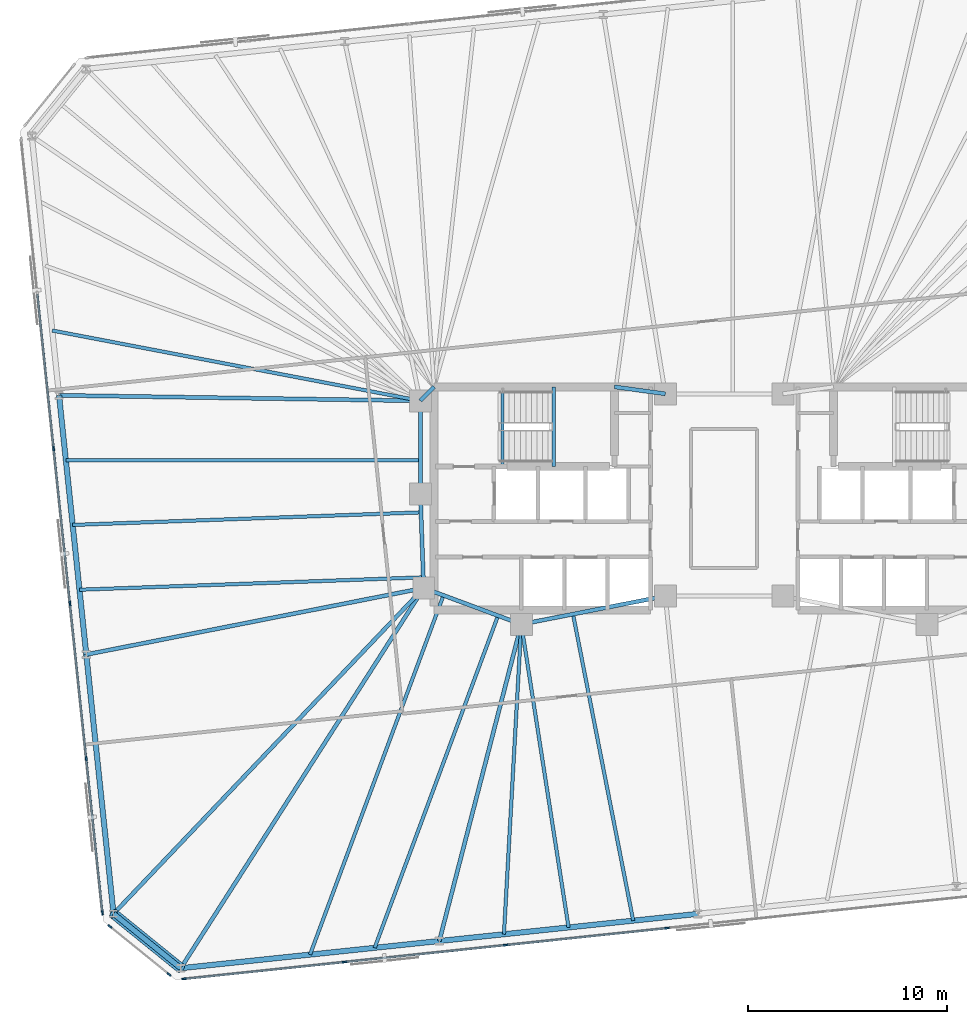
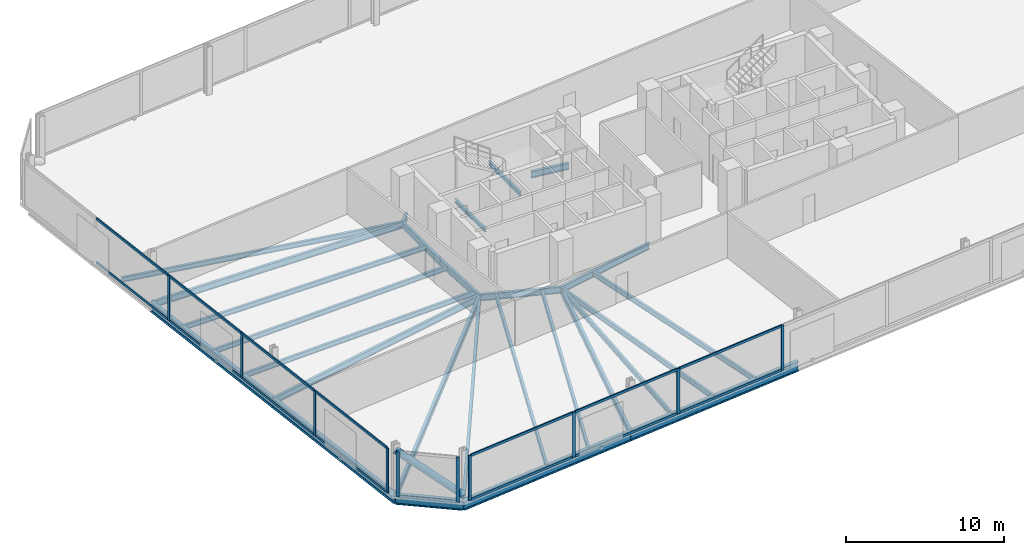
# One storey, part 6 of 17: 27 beams, 25 members, 3 elements without a shape of their own.
"""IFC4 building model written with IfcOpenShell, lengths in metres."""

from ifc_helpers import new_model, si_unit, direction, frame, origin, origin_2d, place, context, subcontext, project, spatial, rectangle, hollow_circle, i_section, extrude, material, material_profile, profile_set, type_object, element, aggregate, save


model = new_model("IFC4")

# Units and contexts
model_context = context("Model", 3, precision=1e-05, world=origin(), true_north=direction((0.0, 1.0)))
body_context = subcontext(model_context, "Body", "Model", "MODEL_VIEW")
ifc_project = project(units=[si_unit("LENGTHUNIT", "METRE"), si_unit("AREAUNIT", "SQUARE_METRE"), si_unit("VOLUMEUNIT", "CUBIC_METRE"), si_unit("PLANEANGLEUNIT", "RADIAN"), si_unit("MASSUNIT", "GRAM", prefix="KILO")], contexts=[model_context])

# Site, building, storey
site_placement = place(None, origin())
site = spatial("IfcSite", under=ifc_project, at=site_placement, CompositionType="ELEMENT")
building_placement = place(site_placement, origin())
building = spatial("IfcBuilding", under=site, at=building_placement, Name="Menara Jurai Vektor", CompositionType="ELEMENT")
storey_placement = place(building_placement, frame((0.0, 0.0, 109.60009765625)))
storey = spatial("IfcBuildingStorey", under=building, at=storey_placement, Name="L27", CompositionType="ELEMENT", Elevation=109.60009765625)

# Curtain wall, members
ifc_material_1 = material(Name="Anodised Pale Aluminium & Low-E Double Glazing", Category="aluminium")
curtain_wall_type = type_object("IfcCurtainWallType", Name="CW-BLK2", PredefinedType="NOTDEFINED", material=ifc_material_1)
curtain_wall_1_placement = place(storey_placement, origin())
curtain_wall_1 = element("IfcCurtainWall", 1, at=curtain_wall_1_placement, inside=storey, type_object=curtain_wall_type, Name="Unitised Curtain Wall L27 F01", PredefinedType="NOTDEFINED")
ifc_material_2 = material(Name="Anodised Pale Aluminium Mullion", Category="aluminium")
ifc_material_profile_1 = material_profile(ifc_material_2, rectangle(XDim=0.090087890625, YDim=0.219970703125, at=origin_2d()), Name="ALU MUL 90x220")
ifc_profile_set_1 = profile_set([ifc_material_profile_1], Name="Anodised Pale Aluminium Mullion")
member_type_1 = type_object("IfcMemberType", Name="CW-BLK2-MUL", PredefinedType="MULLION", material=ifc_profile_set_1)
member_1_placement = place(storey_placement, frame((-27.116455078125, -24.122314453125, 0.0), z_axis=(0.0, 0.0, 1.0), x_axis=(-0.104528634935, 0.994521877325, 0.0)))
member_1 = element("IfcMember", 2, at=member_1_placement, type_object=member_type_1, Name="CW-02 mullion 1", PredefinedType="MULLION", context=body_context, shape_type="SweptSolid", body=[
    extrude(rectangle(XDim=0.090087890625, YDim=0.219970703125, at=origin_2d()), origin(), (0.0, 0.0, 1.0), 3.474853515625),
])
member_2_placement = place(storey_placement, frame((-19.0634765625, -23.27587890625, 0.0), z_axis=(0.0, 0.0, 1.0), x_axis=(-0.104528634935, 0.994521877325, 0.0)))
member_2 = element("IfcMember", 3, at=member_2_placement, type_object=member_type_1, Name="CW-02 mullion 2", PredefinedType="MULLION", context=body_context, shape_type="SweptSolid", body=[
    extrude(rectangle(XDim=0.090087890625, YDim=0.219970703125, at=origin_2d()), origin(), (0.0, 0.0, 1.0), 3.474853515625),
])
member_3_placement = place(storey_placement, frame((-10.965576171875, -22.4248046875, 0.0), z_axis=(0.0, 0.0, 1.0), x_axis=(-0.104528634935, 0.994521877325, 0.0)))
member_3 = element("IfcMember", 4, at=member_3_placement, type_object=member_type_1, Name="CW-02 mullion 3", PredefinedType="MULLION", context=body_context, shape_type="SweptSolid", body=[
    extrude(rectangle(XDim=0.090087890625, YDim=0.219970703125, at=origin_2d()), origin(), (0.0, 0.0, 1.0), 3.474853515625),
])
member_4_placement = place(storey_placement, frame((-2.86767578125, -21.57373046875, 0.0), z_axis=(0.0, 0.0, 1.0), x_axis=(-0.104528634935, 0.994521877325, 0.0)))
member_4 = element("IfcMember", 5, at=member_4_placement, type_object=member_type_1, Name="CW-02 mullion 4", PredefinedType="MULLION", context=body_context, shape_type="SweptSolid", body=[
    extrude(rectangle(XDim=0.090087890625, YDim=0.219970703125, at=origin_2d()), origin(), (0.0, 0.0, 1.0), 3.474853515625),
])

curtain_wall_2_placement = place(storey_placement, origin())
curtain_wall_2 = element("IfcCurtainWall", 6, at=curtain_wall_2_placement, inside=storey, type_object=curtain_wall_type, Name="Unitised Curtain Wall L27 F07", PredefinedType="NOTDEFINED")
member_5_placement = place(storey_placement, frame((-33.66064453125, 2.50341796875, 0.0), z_axis=(0.0, 0.0, 1.0), x_axis=(0.99452177832, 0.104529576902, 0.0)))
member_5 = element("IfcMember", 7, at=member_5_placement, type_object=member_type_1, Name="CW-02 mullion 3", PredefinedType="MULLION", context=body_context, shape_type="SweptSolid", body=[
    extrude(rectangle(XDim=0.090087890625, YDim=0.219970703125, at=origin_2d()), origin(), (0.0, 0.0, 1.0), 3.474853515625),
])
member_6_placement = place(storey_placement, frame((-32.84228515625, -5.28173828125, 0.0), z_axis=(0.0, 0.0, 1.0), x_axis=(0.99452177832, 0.104529576902, 0.0)))
member_6 = element("IfcMember", 8, at=member_6_placement, type_object=member_type_1, Name="CW-02 mullion 4", PredefinedType="MULLION", context=body_context, shape_type="SweptSolid", body=[
    extrude(rectangle(XDim=0.090087890625, YDim=0.219970703125, at=origin_2d()), origin(), (0.0, 0.0, 1.0), 3.474853515625),
])
member_7_placement = place(storey_placement, frame((-32.024169921875, -13.06689453125, 0.0), z_axis=(0.0, 0.0, 1.0), x_axis=(0.99452177832, 0.104529576902, 0.0)))
member_7 = element("IfcMember", 9, at=member_7_placement, type_object=member_type_1, Name="CW-02 mullion 5", PredefinedType="MULLION", context=body_context, shape_type="SweptSolid", body=[
    extrude(rectangle(XDim=0.090087890625, YDim=0.219970703125, at=origin_2d()), origin(), (0.0, 0.0, 1.0), 3.474853515625),
])
member_8_placement = place(storey_placement, frame((-31.21044921875, -20.80712890625, 0.0), z_axis=(0.0, 0.0, 1.0), x_axis=(0.99452177832, 0.104529576902, 0.0)))
member_8 = element("IfcMember", 10, at=member_8_placement, type_object=member_type_1, Name="CW-02 mullion 6", PredefinedType="MULLION", context=body_context, shape_type="SweptSolid", body=[
    extrude(rectangle(XDim=0.090087890625, YDim=0.219970703125, at=origin_2d()), origin(), (0.0, 0.0, 1.0), 3.474853515625),
])

curtain_wall_3_placement = place(storey_placement, origin())
curtain_wall_3 = element("IfcCurtainWall", 11, at=curtain_wall_3_placement, inside=storey, type_object=curtain_wall_type, Name="Unitised Curtain Wall L27 F08", PredefinedType="NOTDEFINED")
member_9_placement = place(storey_placement, frame((-30.8359375, -21.497314453125, 0.0), z_axis=(0.0, 0.0, 1.0), x_axis=(0.629313085353, 0.777151877437, 0.0)))
member_9 = element("IfcMember", 12, at=member_9_placement, type_object=member_type_1, Name="CW-02 mullion 1", PredefinedType="MULLION", context=body_context, shape_type="SweptSolid", body=[
    extrude(rectangle(XDim=0.090087890625, YDim=0.219970703125, at=origin_2d()), origin(), (0.0, 0.0, 1.0), 3.474853515625),
])
member_10_placement = place(storey_placement, frame((-27.869384765625, -23.8994140625, 0.0), z_axis=(0.0, 0.0, 1.0), x_axis=(0.629313085353, 0.777151877437, 0.0)))
member_10 = element("IfcMember", 13, at=member_10_placement, type_object=member_type_1, Name="CW-02 mullion 2", PredefinedType="MULLION", context=body_context, shape_type="SweptSolid", body=[
    extrude(rectangle(XDim=0.090087890625, YDim=0.219970703125, at=origin_2d()), origin(), (0.0, 0.0, 1.0), 3.474853515625),
])
aggregate(curtain_wall_3, [member_9, member_10])

# Member
ifc_material_3 = material(Name="Anodised Pale Aluminium Transom", Category="aluminium")
ifc_material_profile_2 = material_profile(ifc_material_3, rectangle(XDim=0.090087890625, YDim=0.18505859375, at=origin_2d()), Name="ALU TRN 90x185")
ifc_profile_set_2 = profile_set([ifc_material_profile_2], Name="Anodised Pale Aluminium Transom")
member_type_2 = type_object("IfcMemberType", Name="CW-BLK2-TRN", PredefinedType="USERDEFINED", material=ifc_profile_set_2)
member_11_placement = place(storey_placement, frame((-27.07177734375, -24.11767578125, 0.044921875), z_axis=(0.994523147415, 0.10451655015, 0.0), x_axis=(-0.10451655015, 0.994523147415, 0.0)))
member_11 = element("IfcMember", 14, at=member_11_placement, type_object=member_type_2, Name="CW-02 transom 1.1", ObjectType="TRANSOM", PredefinedType="USERDEFINED", context=body_context, shape_type="SweptSolid", body=[
    extrude(rectangle(XDim=0.090087890625, YDim=0.18505859375, at=origin_2d()), origin(), (0.0, 0.0, 1.0), 8.007568359375),
])

member_12_placement = place(storey_placement, frame((-27.07177734375, -24.11767578125, 3.429931640625), z_axis=(0.994523147415, 0.10451655015, 0.0), x_axis=(-0.10451655015, 0.994523147415, 0.0)))
member_12 = element("IfcMember", 15, at=member_12_placement, type_object=member_type_2, Name="CW-02 transom 1.2", ObjectType="TRANSOM", PredefinedType="USERDEFINED", context=body_context, shape_type="SweptSolid", body=[
    extrude(rectangle(XDim=0.090087890625, YDim=0.18505859375, at=origin_2d()), origin(), (0.0, 0.0, 1.0), 8.007568359375),
])

member_13_placement = place(storey_placement, frame((-19.0185546875, -23.271240234375, 0.044921875), z_axis=(0.994520726373, 0.10453958492, 0.0), x_axis=(-0.10453958492, 0.994520726373, 0.0)))
member_13 = element("IfcMember", 16, at=member_13_placement, type_object=member_type_2, Name="CW-02 transom 2.1", ObjectType="TRANSOM", PredefinedType="USERDEFINED", context=body_context, shape_type="SweptSolid", body=[
    extrude(rectangle(XDim=0.090087890625, YDim=0.18505859375, at=origin_2d()), origin(), (0.0, 0.0, 1.0), 8.052490234375),
])

member_14_placement = place(storey_placement, frame((-19.0185546875, -23.271240234375, 3.429931640625), z_axis=(0.994520726373, 0.10453958492, 0.0), x_axis=(-0.10453958492, 0.994520726373, 0.0)))
member_14 = element("IfcMember", 17, at=member_14_placement, type_object=member_type_2, Name="CW-02 transom 2.2", ObjectType="TRANSOM", PredefinedType="USERDEFINED", context=body_context, shape_type="SweptSolid", body=[
    extrude(rectangle(XDim=0.090087890625, YDim=0.18505859375, at=origin_2d()), origin(), (0.0, 0.0, 1.0), 8.052490234375),
])

member_15_placement = place(storey_placement, frame((-10.920654296875, -22.420166015625, 0.044921875), z_axis=(0.994520726373, 0.10453958492, 0.0), x_axis=(-0.10453958492, 0.994520726373, 0.0)))
member_15 = element("IfcMember", 18, at=member_15_placement, type_object=member_type_2, Name="CW-02 transom 3.1", ObjectType="TRANSOM", PredefinedType="USERDEFINED", context=body_context, shape_type="SweptSolid", body=[
    extrude(rectangle(XDim=0.090087890625, YDim=0.18505859375, at=origin_2d()), origin(), (0.0, 0.0, 1.0), 8.052490234375),
])

member_16_placement = place(storey_placement, frame((-10.920654296875, -22.420166015625, 3.429931640625), z_axis=(0.994520726373, 0.10453958492, 0.0), x_axis=(-0.10453958492, 0.994520726373, 0.0)))
member_16 = element("IfcMember", 19, at=member_16_placement, type_object=member_type_2, Name="CW-02 transom 3.2", ObjectType="TRANSOM", PredefinedType="USERDEFINED", context=body_context, shape_type="SweptSolid", body=[
    extrude(rectangle(XDim=0.090087890625, YDim=0.18505859375, at=origin_2d()), origin(), (0.0, 0.0, 1.0), 8.052490234375),
])

aggregate(curtain_wall_1, [member_1, member_2, member_3, member_4, member_11, member_12, member_13, member_14, member_15, member_16])

member_17_placement = place(storey_placement, frame((-34.47412109375, 10.243896484375, 0.044921875), z_axis=(0.104525476786, -0.994522209256, 0.0), x_axis=(0.994522209256, 0.104525476786, 0.0)))
member_17 = element("IfcMember", 20, at=member_17_placement, type_object=member_type_2, Name="CW-02 transom 2.1", ObjectType="TRANSOM", PredefinedType="USERDEFINED", context=body_context, shape_type="SweptSolid", body=[
    extrude(rectangle(XDim=0.090087890625, YDim=0.18505859375, at=origin_2d()), origin(), (0.0, 0.0, 1.0), 7.73828125),
])

member_18_placement = place(storey_placement, frame((-34.47412109375, 10.243896484375, 3.429931640625), z_axis=(0.104525476786, -0.994522209256, 0.0), x_axis=(0.994522209256, 0.104525476786, 0.0)))
member_18 = element("IfcMember", 21, at=member_18_placement, type_object=member_type_2, Name="CW-02 transom 2.2", ObjectType="TRANSOM", PredefinedType="USERDEFINED", context=body_context, shape_type="SweptSolid", body=[
    extrude(rectangle(XDim=0.090087890625, YDim=0.18505859375, at=origin_2d()), origin(), (0.0, 0.0, 1.0), 7.73828125),
])

member_19_placement = place(storey_placement, frame((-33.65576171875, 2.458740234375, 0.044921875), z_axis=(0.104525476786, -0.994522209256, 0.0), x_axis=(0.994522209256, 0.104525476786, 0.0)))
member_19 = element("IfcMember", 22, at=member_19_placement, type_object=member_type_2, Name="CW-02 transom 3.1", ObjectType="TRANSOM", PredefinedType="USERDEFINED", context=body_context, shape_type="SweptSolid", body=[
    extrude(rectangle(XDim=0.090087890625, YDim=0.18505859375, at=origin_2d()), origin(), (0.0, 0.0, 1.0), 7.73828125),
])

member_20_placement = place(storey_placement, frame((-33.65576171875, 2.458740234375, 3.429931640625), z_axis=(0.104525476786, -0.994522209256, 0.0), x_axis=(0.994522209256, 0.104525476786, 0.0)))
member_20 = element("IfcMember", 23, at=member_20_placement, type_object=member_type_2, Name="CW-02 transom 3.2", ObjectType="TRANSOM", PredefinedType="USERDEFINED", context=body_context, shape_type="SweptSolid", body=[
    extrude(rectangle(XDim=0.090087890625, YDim=0.18505859375, at=origin_2d()), origin(), (0.0, 0.0, 1.0), 7.73828125),
])

member_21_placement = place(storey_placement, frame((-32.837646484375, -5.326416015625, 0.044921875), z_axis=(0.104525476786, -0.994522209256, 0.0), x_axis=(0.994522209256, 0.104525476786, 0.0)))
member_21 = element("IfcMember", 24, at=member_21_placement, type_object=member_type_2, Name="CW-02 transom 4.1", ObjectType="TRANSOM", PredefinedType="USERDEFINED", context=body_context, shape_type="SweptSolid", body=[
    extrude(rectangle(XDim=0.090087890625, YDim=0.18505859375, at=origin_2d()), origin(), (0.0, 0.0, 1.0), 7.73828125),
])

member_22_placement = place(storey_placement, frame((-32.837646484375, -5.326416015625, 3.429931640625), z_axis=(0.104525476786, -0.994522209256, 0.0), x_axis=(0.994522209256, 0.104525476786, 0.0)))
member_22 = element("IfcMember", 25, at=member_22_placement, type_object=member_type_2, Name="CW-02 transom 4.2", ObjectType="TRANSOM", PredefinedType="USERDEFINED", context=body_context, shape_type="SweptSolid", body=[
    extrude(rectangle(XDim=0.090087890625, YDim=0.18505859375, at=origin_2d()), origin(), (0.0, 0.0, 1.0), 7.73828125),
])

member_23_placement = place(storey_placement, frame((-32.019287109375, -13.111572265625, 0.044921875), z_axis=(0.104536105602, -0.994521092097, 0.0), x_axis=(0.994521092097, 0.104536105602, 0.0)))
member_23 = element("IfcMember", 26, at=member_23_placement, type_object=member_type_2, Name="CW-02 transom 5.1", ObjectType="TRANSOM", PredefinedType="USERDEFINED", context=body_context, shape_type="SweptSolid", body=[
    extrude(rectangle(XDim=0.090087890625, YDim=0.18505859375, at=origin_2d()), origin(), (0.0, 0.0, 1.0), 7.693115234375),
])

member_24_placement = place(storey_placement, frame((-32.019287109375, -13.111572265625, 3.429931640625), z_axis=(0.104536105602, -0.994521092097, 0.0), x_axis=(0.994521092097, 0.104536105602, 0.0)))
member_24 = element("IfcMember", 27, at=member_24_placement, type_object=member_type_2, Name="CW-02 transom 5.2", ObjectType="TRANSOM", PredefinedType="USERDEFINED", context=body_context, shape_type="SweptSolid", body=[
    extrude(rectangle(XDim=0.090087890625, YDim=0.18505859375, at=origin_2d()), origin(), (0.0, 0.0, 1.0), 7.693115234375),
])

aggregate(curtain_wall_2, [member_5, member_6, member_7, member_8, member_17, member_18, member_19, member_20, member_21, member_22, member_23, member_24])

# Beams
ifc_material_4 = material(Name="Steel S355", Category="steel")
ifc_material_profile_3 = material_profile(ifc_material_4, i_section(OverallWidth=0.199951171875, OverallDepth=0.5, WebThickness=0.011962890625, FlangeThickness=0.02001953125, at=origin_2d()), Name="PG 500x200x96")
ifc_profile_set_3 = profile_set([ifc_material_profile_3], Name="Steel S355")
beam_type_1 = type_object("IfcBeamType", Name="STR-BM-500", PredefinedType="BEAM", material=ifc_profile_set_3)
beam_1_placement = place(storey_placement, frame((-15.25, 4.89990234375, -0.47509765625), z_axis=(0.701871936926, 0.712303154672, 0.0), x_axis=(-0.712303154672, 0.701871936926, 0.0)))
element("IfcBeam", 28, at=beam_1_placement, inside=storey, type_object=beam_type_1, Name="Core Ring Header Girder L27-CHW-N1", PredefinedType="BEAM", context=body_context, shape_type="SweptSolid", body=[
    extrude(i_section(OverallWidth=0.199951171875, OverallDepth=0.5, WebThickness=0.011962890625, FlangeThickness=0.02001953125, at=origin_2d()), origin(), (0.0, 0.0, 1.0), 0.98291015625),
])
beam_2_placement = place(storey_placement, frame((-5.5, 5.60009765625, -0.47509765625), z_axis=(0.990706818608, -0.136014703483, 0.0), x_axis=(0.136014703483, 0.990706818608, 0.0)))
element("IfcBeam", 29, at=beam_2_placement, inside=storey, type_object=beam_type_1, Name="Core Ring Header Girder L27-CHW-N2", PredefinedType="BEAM", context=body_context, shape_type="SweptSolid", body=[
    extrude(i_section(OverallWidth=0.199951171875, OverallDepth=0.5, WebThickness=0.011962890625, FlangeThickness=0.02001953125, at=origin_2d()), origin(), (0.0, 0.0, 1.0), 2.573974609375),
])
beam_3_placement = place(storey_placement, frame((-15.25, 0.219970703125, -0.47509765625), z_axis=(0.0, 1.0, 0.0), x_axis=(-1.0, 0.0, 0.0)))
element("IfcBeam", 30, at=beam_3_placement, inside=storey, type_object=beam_type_1, Name="Core Ring Header Girder L27-CHW-W1", PredefinedType="BEAM", context=body_context, shape_type="SweptSolid", body=[
    extrude(i_section(OverallWidth=0.199951171875, OverallDepth=0.5, WebThickness=0.011962890625, FlangeThickness=0.02001953125, at=origin_2d()), origin(), (0.0, 0.0, 1.0), 4.679931640625),
])
beam_4_placement = place(storey_placement, frame((-15.080078125, -4.5, -0.47509765625), z_axis=(-0.035977314146, 0.999352606874, 0.0), x_axis=(-0.999352606874, -0.035977314146, 0.0)))
element("IfcBeam", 31, at=beam_4_placement, inside=storey, type_object=beam_type_1, Name="Core Ring Header Girder L27-CHW-W2", PredefinedType="BEAM", context=body_context, shape_type="SweptSolid", body=[
    extrude(i_section(OverallWidth=0.199951171875, OverallDepth=0.5, WebThickness=0.011962890625, FlangeThickness=0.02001953125, at=origin_2d()), origin(), (0.0, 0.0, 1.0), 4.72314453125),
])
beam_5_placement = place(storey_placement, frame((-15.080078125, -4.5, -0.47509765625), z_axis=(0.937424400887, -0.348188874925, 0.0), x_axis=(0.348188874925, 0.937424400887, 0.0)))
element("IfcBeam", 32, at=beam_5_placement, inside=storey, type_object=beam_type_1, Name="Core Ring Header Girder L27-CHW-S1", PredefinedType="BEAM", context=body_context, shape_type="SweptSolid", body=[
    extrude(i_section(OverallWidth=0.199951171875, OverallDepth=0.5, WebThickness=0.011962890625, FlangeThickness=0.02001953125, at=origin_2d()), origin(), (0.0, 0.0, 1.0), 5.227294921875),
])
beam_6_placement = place(storey_placement, frame((-10.179931640625, -6.320068359375, -0.47509765625), z_axis=(0.981249044334, 0.192744164614, 0.0), x_axis=(-0.192744164614, 0.981249044334, 0.0)))
element("IfcBeam", 33, at=beam_6_placement, inside=storey, type_object=beam_type_1, Name="Core Ring Header Girder L27-CHW-S2", PredefinedType="BEAM", context=body_context, shape_type="SweptSolid", body=[
    extrude(i_section(OverallWidth=0.199951171875, OverallDepth=0.5, WebThickness=0.011962890625, FlangeThickness=0.02001953125, at=origin_2d()), origin(), (0.0, 0.0, 1.0), 7.3681640625),
])
beam_7_placement = place(storey_placement, frame((-27.2763671875, -23.586181640625, -0.47509765625), z_axis=(0.538462629542, 0.842649391258, 0.0), x_axis=(-0.842649391258, 0.538462629542, 0.0)))
element("IfcBeam", 34, at=beam_7_placement, inside=storey, type_object=beam_type_1, Name="Radial Floor Girder L27-S1", PredefinedType="BEAM", context=body_context, shape_type="SweptSolid", body=[
    extrude(i_section(OverallWidth=0.199951171875, OverallDepth=0.5, WebThickness=0.011962890625, FlangeThickness=0.02001953125, at=origin_2d()), origin(), (0.0, 0.0, 1.0), 22.650146484375),
])
beam_8_placement = place(storey_placement, frame((-14.296630859375, -22.221923828125, -0.47509765625), z_axis=(0.250619644892, 0.968085633399, 0.0), x_axis=(-0.968085633399, 0.250619644892, 0.0)))
element("IfcBeam", 35, at=beam_8_placement, inside=storey, type_object=beam_type_1, Name="Radial Floor Girder L27-S2", PredefinedType="BEAM", context=body_context, shape_type="SweptSolid", body=[
    extrude(i_section(OverallWidth=0.199951171875, OverallDepth=0.5, WebThickness=0.011962890625, FlangeThickness=0.02001953125, at=origin_2d()), origin(), (0.0, 0.0, 1.0), 16.426025390625),
])
beam_9_placement = place(storey_placement, frame((-33.38818359375, 5.175048828125, -0.47509765625), z_axis=(0.999884963566, -0.015167716827, 0.0), x_axis=(0.015167716827, 0.999884963566, 0.0)))
element("IfcBeam", 36, at=beam_9_placement, inside=storey, type_object=beam_type_1, Name="Radial Floor Girder L27-W2", PredefinedType="BEAM", context=body_context, shape_type="SweptSolid", body=[
    extrude(i_section(OverallWidth=0.199951171875, OverallDepth=0.5, WebThickness=0.011962890625, FlangeThickness=0.02001953125, at=origin_2d()), origin(), (0.0, 0.0, 1.0), 18.140380859375),
])
beam_10_placement = place(storey_placement, frame((-32.0205078125, -7.83837890625, -0.47509765625), z_axis=(0.98113039493, 0.193347221714, 0.0), x_axis=(-0.193347221714, 0.98113039493, 0.0)))
element("IfcBeam", 37, at=beam_10_placement, inside=storey, type_object=beam_type_1, Name="Radial Floor Girder L27-W3", PredefinedType="BEAM", context=body_context, shape_type="SweptSolid", body=[
    extrude(i_section(OverallWidth=0.199951171875, OverallDepth=0.5, WebThickness=0.011962890625, FlangeThickness=0.02001953125, at=origin_2d()), origin(), (0.0, 0.0, 1.0), 17.266357421875),
])
beam_11_placement = place(storey_placement, frame((-30.65283203125, -20.85205078125, -0.47509765625), z_axis=(0.689640593718, 0.724151815227, 0.0), x_axis=(-0.724151815227, 0.689640593718, 0.0)))
element("IfcBeam", 38, at=beam_11_placement, inside=storey, type_object=beam_type_1, Name="Radial Floor Girder L27-W4", PredefinedType="BEAM", context=body_context, shape_type="SweptSolid", body=[
    extrude(i_section(OverallWidth=0.199951171875, OverallDepth=0.5, WebThickness=0.011962890625, FlangeThickness=0.02001953125, at=origin_2d()), origin(), (0.0, 0.0, 1.0), 22.5810546875),
])

# Member
ifc_material_5 = material(Name="Steel S460", Category="steel")
ifc_material_profile_4 = material_profile(ifc_material_5, hollow_circle(Radius=0.25390625, WallThickness=0.02001953125, at=origin_2d()), Name="CHS 508x20")
ifc_profile_set_4 = profile_set([ifc_material_profile_4], Name="Steel S460")
member_type_3 = type_object("IfcMemberType", Name="STR-BR-508", PredefinedType="BRACE", material=ifc_profile_set_4)
member_25_placement = place(storey_placement, frame((-27.2763671875, -23.586181640625, 0.14990234375), z_axis=(-0.641223283484, 0.519237856236, 0.564999778203), x_axis=(-0.629309762217, -0.777154568396, 0.0)))
element("IfcMember", 39, at=member_25_placement, inside=storey, type_object=member_type_3, Name="Exoskeleton Corner Brace L27-4", PredefinedType="BRACE", context=body_context, shape_type="SweptSolid", body=[
    extrude(hollow_circle(Radius=0.25390625, WallThickness=0.02001953125, at=origin_2d()), origin(), (0.0, 0.0, 1.0), 5.265625),
])

# Beams
ifc_material_profile_5 = material_profile(ifc_material_4, i_section(OverallWidth=0.175048828125, OverallDepth=0.3798828125, WebThickness=0.010009765625, FlangeThickness=0.014892578125, at=origin_2d()), Name="PG 380x175x58")
ifc_profile_set_5 = profile_set([ifc_material_profile_5], Name="Steel S355")
beam_type_2 = type_object("IfcBeamType", Name="STR-JS-380", PredefinedType="JOIST", material=ifc_profile_set_5)
beam_12_placement = place(storey_placement, frame((-20.78662109375, -22.904052734375, -0.4150390625), z_axis=(0.34819162731, 0.93742337856, 0.0), x_axis=(-0.93742337856, 0.34819162731, 0.0)))
element("IfcBeam", 40, at=beam_12_placement, inside=storey, type_object=beam_type_2, Name="Radial Secondary Floor Joist L27-JS01", PredefinedType="JOIST", context=body_context, shape_type="SweptSolid", body=[
    extrude(i_section(OverallWidth=0.175048828125, OverallDepth=0.3798828125, WebThickness=0.010009765625, FlangeThickness=0.014892578125, at=origin_2d()), origin(), (0.0, 0.0, 1.0), 19.2392578125),
])
beam_13_placement = place(storey_placement, frame((-17.54150390625, -22.56298828125, -0.4150390625), z_axis=(0.348184462185, 0.937426039906, 0.0), x_axis=(-0.937426039906, 0.348184462185, 0.0)))
element("IfcBeam", 41, at=beam_13_placement, inside=storey, type_object=beam_type_2, Name="Radial Secondary Floor Joist L27-JS02", PredefinedType="JOIST", context=body_context, shape_type="SweptSolid", body=[
    extrude(i_section(OverallWidth=0.175048828125, OverallDepth=0.3798828125, WebThickness=0.010009765625, FlangeThickness=0.014892578125, at=origin_2d()), origin(), (0.0, 0.0, 1.0), 17.789794921875),
])
beam_14_placement = place(storey_placement, frame((-11.0517578125, -21.880859375, -0.4150390625), z_axis=(0.055939382302, 0.998434166837, 0.0), x_axis=(-0.998434166837, 0.055939382302, 0.0)))
element("IfcBeam", 42, at=beam_14_placement, inside=storey, type_object=beam_type_2, Name="Radial Secondary Floor Joist L27-JS03", PredefinedType="JOIST", context=body_context, shape_type="SweptSolid", body=[
    extrude(i_section(OverallWidth=0.175048828125, OverallDepth=0.3798828125, WebThickness=0.010009765625, FlangeThickness=0.014892578125, at=origin_2d()), origin(), (0.0, 0.0, 1.0), 15.585205078125),
])
beam_15_placement = place(storey_placement, frame((-7.806884765625, -21.539794921875, -0.4150390625), z_axis=(-0.154057765645, 0.988061842622, 0.0), x_axis=(-0.988061842622, -0.154057765645, 0.0)))
element("IfcBeam", 43, at=beam_15_placement, inside=storey, type_object=beam_type_2, Name="Radial Secondary Floor Joist L27-JS04", PredefinedType="JOIST", context=body_context, shape_type="SweptSolid", body=[
    extrude(i_section(OverallWidth=0.175048828125, OverallDepth=0.3798828125, WebThickness=0.010009765625, FlangeThickness=0.014892578125, at=origin_2d()), origin(), (0.0, 0.0, 1.0), 15.403564453125),
])
beam_16_placement = place(storey_placement, frame((-4.56201171875, -21.19873046875, -0.4150390625), z_axis=(-0.19271398667, 0.981254971627, 0.0), x_axis=(-0.981254971627, -0.19271398667, 0.0)))
element("IfcBeam", 44, at=beam_16_placement, inside=storey, type_object=beam_type_2, Name="Radial Secondary Floor Joist L27-JS05", PredefinedType="JOIST", context=body_context, shape_type="SweptSolid", body=[
    extrude(i_section(OverallWidth=0.175048828125, OverallDepth=0.3798828125, WebThickness=0.010009765625, FlangeThickness=0.014892578125, at=origin_2d()), origin(), (0.0, 0.0, 1.0), 15.682373046875),
])
beam_17_placement = place(storey_placement, frame((-33.730224609375, 8.428466796875, -0.4150390625), z_axis=(0.982255215221, -0.187549172674, 0.0), x_axis=(0.187549172674, 0.982255215221, 0.0)))
element("IfcBeam", 45, at=beam_17_placement, inside=storey, type_object=beam_type_2, Name="Radial Secondary Floor Joist L27-JS38", PredefinedType="JOIST", context=body_context, shape_type="SweptSolid", body=[
    extrude(i_section(OverallWidth=0.175048828125, OverallDepth=0.3798828125, WebThickness=0.010009765625, FlangeThickness=0.014892578125, at=origin_2d()), origin(), (0.0, 0.0, 1.0), 18.81396484375),
])
beam_18_placement = place(storey_placement, frame((-33.04638671875, 1.921630859375, -0.4150390625), z_axis=(1.0, 0.0, 0.0), x_axis=(0.0, 1.0, 0.0)))
element("IfcBeam", 46, at=beam_18_placement, inside=storey, type_object=beam_type_2, Name="Radial Secondary Floor Joist L27-JS39", PredefinedType="JOIST", context=body_context, shape_type="SweptSolid", body=[
    extrude(i_section(OverallWidth=0.175048828125, OverallDepth=0.3798828125, WebThickness=0.010009765625, FlangeThickness=0.014892578125, at=origin_2d()), origin(), (0.0, 0.0, 1.0), 17.79638671875),
])
beam_19_placement = place(storey_placement, frame((-32.704345703125, -1.331787109375, -0.4150390625), z_axis=(0.999351948809, 0.035995588769, 0.0), x_axis=(-0.035995588769, 0.999351948809, 0.0)))
element("IfcBeam", 47, at=beam_19_placement, inside=storey, type_object=beam_type_2, Name="Radial Secondary Floor Joist L27-JS40", PredefinedType="JOIST", context=body_context, shape_type="SweptSolid", body=[
    extrude(i_section(OverallWidth=0.175048828125, OverallDepth=0.3798828125, WebThickness=0.010009765625, FlangeThickness=0.014892578125, at=origin_2d()), origin(), (0.0, 0.0, 1.0), 17.498779296875),
])
beam_20_placement = place(storey_placement, frame((-32.362548828125, -4.5849609375, -0.4150390625), z_axis=(0.999352405578, 0.03598290517, 0.0), x_axis=(-0.03598290517, 0.999352405578, 0.0)))
element("IfcBeam", 48, at=beam_20_placement, inside=storey, type_object=beam_type_2, Name="Radial Secondary Floor Joist L27-JS41", PredefinedType="JOIST", context=body_context, shape_type="SweptSolid", body=[
    extrude(i_section(OverallWidth=0.175048828125, OverallDepth=0.3798828125, WebThickness=0.010009765625, FlangeThickness=0.014892578125, at=origin_2d()), origin(), (0.0, 0.0, 1.0), 17.2744140625),
])
ifc_material_profile_6 = material_profile(ifc_material_4, i_section(OverallWidth=0.1650390625, OverallDepth=0.302978515625, WebThickness=0.006103515625, FlangeThickness=0.010009765625, FilletRadius=0.009033203125, at=origin_2d()), Name="UKB 305x165x40")
ifc_profile_set_6 = profile_set([ifc_material_profile_6], Name="Steel S355")
beam_type_3 = type_object("IfcBeamType", Name="STR-LN-305", PredefinedType="LINTEL", material=ifc_profile_set_6)
beam_21_placement = place(storey_placement, frame((-11.1201171875, 1.60009765625, -0.376708984375), z_axis=(0.0, 1.0, 0.0), x_axis=(-1.0, 0.0, 0.0)))
element("IfcBeam", 49, at=beam_21_placement, inside=storey, type_object=beam_type_3, Name="Stair Well Floor Trimmer ST1 L27", PredefinedType="LINTEL", context=body_context, shape_type="SweptSolid", body=[
    extrude(i_section(OverallWidth=0.1650390625, OverallDepth=0.302978515625, WebThickness=0.006103515625, FlangeThickness=0.010009765625, FilletRadius=0.009033203125, at=origin_2d()), origin(), (0.0, 0.0, 1.0), 3.81982421875),
])
beam_22_placement = place(storey_placement, frame((-8.550048828125, 1.60009765625, 1.498291015625), z_axis=(0.0, 1.0, 0.0), x_axis=(-1.0, 0.0, 0.0)))
element("IfcBeam", 50, at=beam_22_placement, inside=storey, type_object=beam_type_3, Name="Stair Half-Landing Nosing Trimmer ST1-1 L27", PredefinedType="LINTEL", context=body_context, shape_type="SweptSolid", body=[
    extrude(i_section(OverallWidth=0.1650390625, OverallDepth=0.302978515625, WebThickness=0.006103515625, FlangeThickness=0.010009765625, FilletRadius=0.009033203125, at=origin_2d()), origin(), (0.0, 0.0, 1.0), 4.0),
])
ifc_material_profile_7 = material_profile(ifc_material_5, i_section(OverallWidth=0.26806640625, OverallDepth=0.77001953125, WebThickness=0.01611328125, FlangeThickness=0.02490234375, FilletRadius=0.01708984375, at=origin_2d()), Name="UKB 762x267x197")
ifc_profile_set_7 = profile_set([ifc_material_profile_7], Name="Steel S460")
beam_type_4 = type_object("IfcBeamType", Name="STR-SP-762", PredefinedType="SPANDREL", material=ifc_profile_set_7)
for number, where, z_axis, x_axis, name in (
    (51, (-27.2763671875, -23.586181640625, -0.610107421875), (0.994521636083, 0.104530930169, 0.0), (-0.104530930169, 0.994521636083, 0.0), "Exoskeleton Spandrel Beam L27-01"),
    (52, (-14.296630859375, -22.221923828125, -0.610107421875), (0.994523580592, 0.104512428191, 0.0), (-0.104512428191, 0.994523580592, 0.0), "Exoskeleton Spandrel Beam L27-02"),
):
    element("IfcBeam", number, at=place(storey_placement, frame(where, z_axis=z_axis, x_axis=x_axis)), inside=storey, type_object=beam_type_4, Name=name, PredefinedType="SPANDREL", context=body_context, shape_type="SweptSolid", body=[
        extrude(i_section(OverallWidth=0.26806640625, OverallDepth=0.77001953125, WebThickness=0.01611328125, FlangeThickness=0.02490234375, FilletRadius=0.01708984375, at=origin_2d()), origin(), (0.0, 0.0, 1.0), 13.05126953125),
    ])
beam_23_placement = place(storey_placement, frame((-33.38818359375, 5.175048828125, -0.610107421875), z_axis=(0.104521615846, -0.994522615037, 0.0), x_axis=(0.994522615037, 0.104521615846, 0.0)))
element("IfcBeam", 53, at=beam_23_placement, inside=storey, type_object=beam_type_4, Name="Exoskeleton Spandrel Beam L27-18", PredefinedType="SPANDREL", context=body_context, shape_type="SweptSolid", body=[
    extrude(i_section(OverallWidth=0.26806640625, OverallDepth=0.77001953125, WebThickness=0.01611328125, FlangeThickness=0.02490234375, FilletRadius=0.01708984375, at=origin_2d()), origin(), (0.0, 0.0, 1.0), 13.085205078125),
])
beam_24_placement = place(storey_placement, frame((-32.0205078125, -7.83837890625, -0.610107421875), z_axis=(0.104519676409, -0.994522818865, 0.0), x_axis=(0.994522818865, 0.104519676409, 0.0)))
element("IfcBeam", 54, at=beam_24_placement, inside=storey, type_object=beam_type_4, Name="Exoskeleton Spandrel Beam L27-19", PredefinedType="SPANDREL", context=body_context, shape_type="SweptSolid", body=[
    extrude(i_section(OverallWidth=0.26806640625, OverallDepth=0.77001953125, WebThickness=0.01611328125, FlangeThickness=0.02490234375, FilletRadius=0.01708984375, at=origin_2d()), origin(), (0.0, 0.0, 1.0), 13.08544921875),
])
beam_25_placement = place(storey_placement, frame((-30.65283203125, -20.85205078125, -0.610107421875), z_axis=(0.777154568396, -0.629309762217, 0.0), x_axis=(0.629309762217, 0.777154568396, 0.0)))
element("IfcBeam", 55, at=beam_25_placement, inside=storey, type_object=beam_type_4, Name="Exoskeleton Spandrel Beam L27-20", PredefinedType="SPANDREL", context=body_context, shape_type="SweptSolid", body=[
    extrude(i_section(OverallWidth=0.26806640625, OverallDepth=0.77001953125, WebThickness=0.01611328125, FlangeThickness=0.02490234375, FilletRadius=0.01708984375, at=origin_2d()), origin(), (0.0, 0.0, 1.0), 4.3447265625),
])

save(model, "model.ifc")
